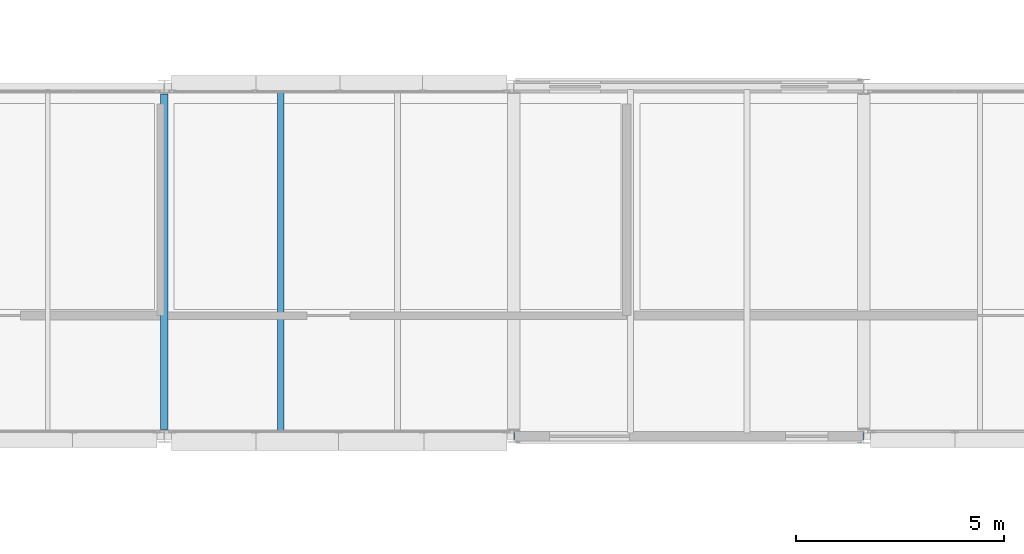
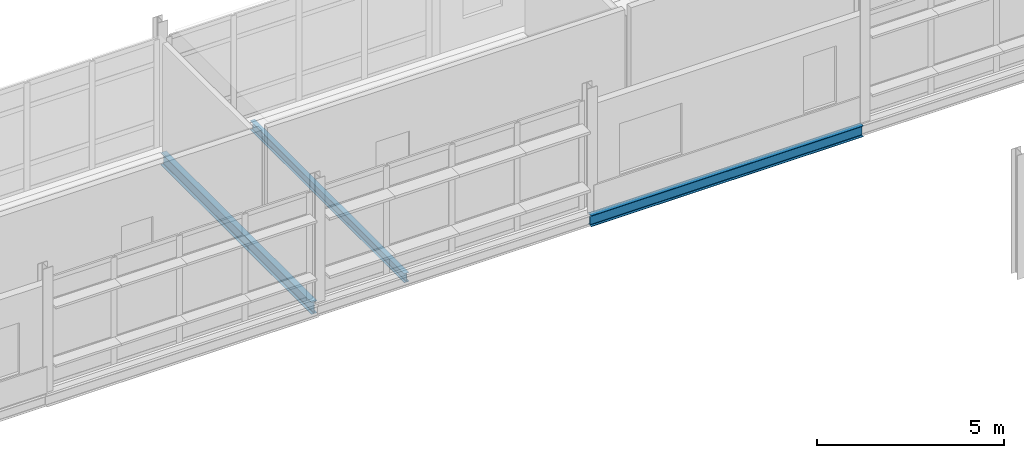
# One storey, part 23 of 57: 3 beams.
"""IFC4 building model written with IfcOpenShell, lengths in metres."""

from ifc_helpers import new_model, si_unit, direction, frame, origin, origin_2d, place, context, subcontext, project, spatial, i_section, extrude, material, material_profile, profile_set, type_object, element, save


model = new_model("IFC4")

# Units and contexts
model_context = context("Model", 3, precision=1e-05, world=origin(), true_north=direction((0.0, 1.0)))
body_context = subcontext(model_context, "Body", "Model", "MODEL_VIEW")
ifc_project = project(units=[si_unit("LENGTHUNIT", "METRE"), si_unit("AREAUNIT", "SQUARE_METRE"), si_unit("VOLUMEUNIT", "CUBIC_METRE"), si_unit("PLANEANGLEUNIT", "RADIAN"), si_unit("MASSUNIT", "GRAM", prefix="KILO")], contexts=[model_context])

# Site, building, storey
site_placement = place(None, origin())
site = spatial("IfcSite", under=ifc_project, at=site_placement, CompositionType="ELEMENT")
building_placement = place(site_placement, origin())
building = spatial("IfcBuilding", under=site, at=building_placement, Name="Mersafa Astral City Hall", CompositionType="ELEMENT")
storey_placement = place(building_placement, frame((0.0, 0.0, 26.10009765625)))
storey = spatial("IfcBuildingStorey", under=building, at=storey_placement, Name="L06", CompositionType="ELEMENT", Elevation=26.10009765625)

# Beams
ifc_material = material(Name="Steel S355", Category="steel")
ifc_material_profile_1 = material_profile(ifc_material, i_section(OverallWidth=0.179931640625, OverallDepth=0.39990234375, WebThickness=0.008544921875, FlangeThickness=0.013427734375, FilletRadius=0.02099609375, at=origin_2d()), Name="IPE 400")
ifc_profile_set_1 = profile_set([ifc_material_profile_1], Name="Steel S355")
beam_type_1 = type_object("IfcBeamType", Name="STR-BM-IPE400", PredefinedType="BEAM", material=ifc_profile_set_1)
beam_1_placement = place(storey_placement, frame((92.39990234375, 117.764892578125, -0.375), z_axis=(0.0, 1.0, 0.0), x_axis=(-1.0, 0.0, 0.0)))
element("IfcBeam", 1, at=beam_1_placement, inside=storey, type_object=beam_type_1, Name="L06 Primary girder Y 11-14", PredefinedType="BEAM", context=body_context, shape_type="SweptSolid", body=[
    extrude(i_section(OverallWidth=0.179931640625, OverallDepth=0.39990234375, WebThickness=0.008544921875, FlangeThickness=0.013427734375, FilletRadius=0.02099609375, at=origin_2d()), origin(), (0.0, 0.0, 1.0), 8.06005859375),
])
ifc_material_profile_2 = material_profile(ifc_material, i_section(OverallWidth=0.14990234375, OverallDepth=0.300048828125, WebThickness=0.007080078125, FlangeThickness=0.0107421875, FilletRadius=0.014892578125, at=origin_2d()), Name="IPE 300")
ifc_profile_set_2 = profile_set([ifc_material_profile_2], Name="Steel S355")
beam_type_2 = type_object("IfcBeamType", Name="STR-BM-JOIST-IPE300", PredefinedType="JOIST", material=ifc_profile_set_2)
beam_2_placement = place(storey_placement, frame((95.199951171875, 117.675048828125, -0.3251953125), z_axis=(0.0, 1.0, 0.0), x_axis=(-1.0, 0.0, 0.0)))
element("IfcBeam", 2, at=beam_2_placement, inside=storey, type_object=beam_type_2, Name="L06 Composite secondary floor joist 854", PredefinedType="JOIST", context=body_context, shape_type="SweptSolid", body=[
    extrude(i_section(OverallWidth=0.14990234375, OverallDepth=0.300048828125, WebThickness=0.007080078125, FlangeThickness=0.0107421875, FilletRadius=0.014892578125, at=origin_2d()), origin(), (0.0, 0.0, 1.0), 8.244873046875),
])
ifc_material_profile_3 = material_profile(ifc_material, i_section(OverallWidth=0.169921875, OverallDepth=0.360107421875, WebThickness=0.008056640625, FlangeThickness=0.0126953125, FilletRadius=0.01806640625, at=origin_2d()), Name="IPE 360")
ifc_profile_set_3 = profile_set([ifc_material_profile_3], Name="Steel S355")
beam_type_3 = type_object("IfcBeamType", Name="STR-BM-SPANDREL-IPE360", PredefinedType="SPANDREL", material=ifc_profile_set_3)
beam_3_placement = place(storey_placement, frame((100.802978515625, 117.60009765625, -0.35498046875), z_axis=(1.0, 0.0, 0.0), x_axis=(0.0, 1.0, 0.0)))
element("IfcBeam", 3, at=beam_3_placement, inside=storey, type_object=beam_type_3, Name="L06 Primary girder X 12-14", PredefinedType="SPANDREL", context=body_context, shape_type="SweptSolid", body=[
    extrude(i_section(OverallWidth=0.169921875, OverallDepth=0.360107421875, WebThickness=0.008056640625, FlangeThickness=0.0126953125, FilletRadius=0.01806640625, at=origin_2d()), origin(), (0.0, 0.0, 1.0), 8.39404296875),
])

save(model, "model.ifc")
